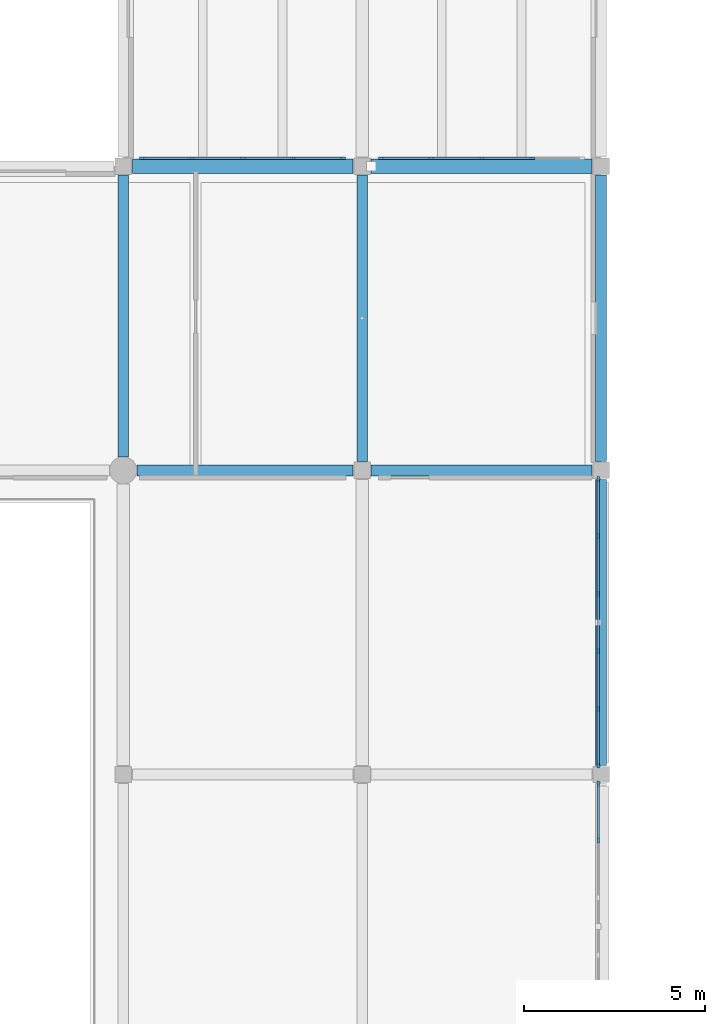
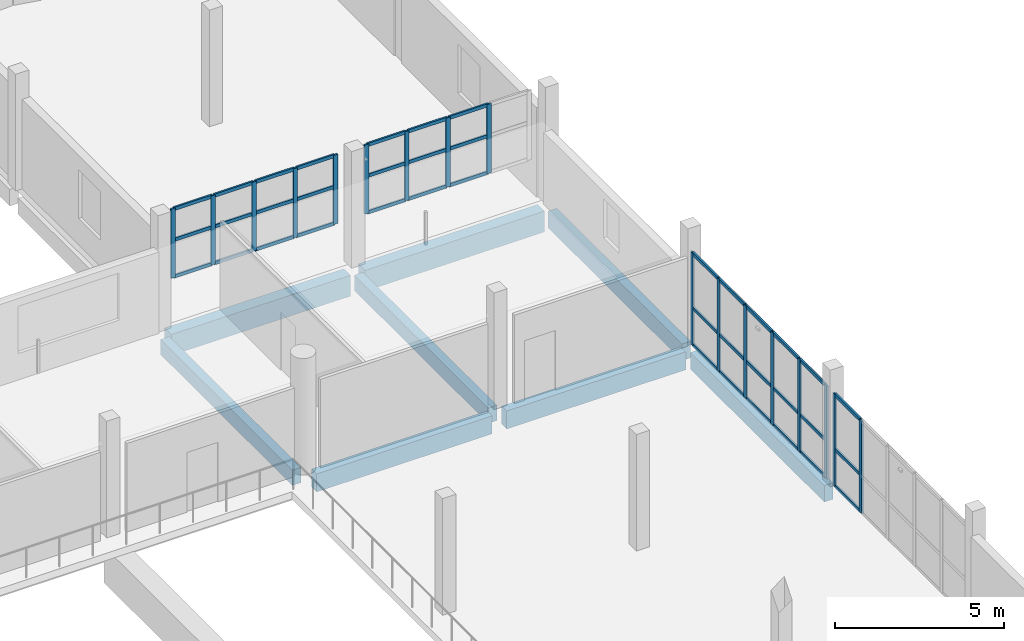
# One storey, part 9 of 74: 56 members, 8 beams, 4 elements without a shape of their own.
"""IFC4 building model written with IfcOpenShell, lengths in metres."""

from ifc_helpers import new_model, si_unit, direction, frame, origin, origin_2d, place, context, subcontext, project, spatial, rectangle, extrude, material, material_profile, profile_set, type_object, element, aggregate, save


model = new_model("IFC4")

# Units and contexts
model_context = context("Model", 3, precision=1e-05, world=origin(), true_north=direction((0.0, 1.0)))
body_context = subcontext(model_context, "Body", "Model", "MODEL_VIEW")
ifc_project = project(units=[si_unit("LENGTHUNIT", "METRE"), si_unit("AREAUNIT", "SQUARE_METRE"), si_unit("VOLUMEUNIT", "CUBIC_METRE"), si_unit("PLANEANGLEUNIT", "RADIAN"), si_unit("MASSUNIT", "GRAM", prefix="KILO")], contexts=[model_context])

# Site, building, storey
site_placement = place(None, origin())
site = spatial("IfcSite", under=ifc_project, at=site_placement, CompositionType="ELEMENT")
building_placement = place(site_placement, origin())
building = spatial("IfcBuilding", under=site, at=building_placement, Name="Qaldarim Faculty of Natural and Applied Sciences", CompositionType="ELEMENT")
storey_placement = place(building_placement, frame((0.0, 0.0, 14.39990234375)))
storey = spatial("IfcBuildingStorey", under=building, at=storey_placement, Name="L03", CompositionType="ELEMENT", Elevation=14.39990234375)

# Beams
ifc_material_1 = material(Name="Concrete C40/50", Category="concrete")
ifc_material_profile_1 = material_profile(ifc_material_1, rectangle(XDim=0.300048828125, YDim=0.550048828125, at=origin_2d()), Name="RC-B300x550")
ifc_profile_set_1 = profile_set([ifc_material_profile_1], Name="Concrete C40/50")
beam_type_1 = type_object("IfcBeamType", Name="FloorBeam-RC300x550", PredefinedType="BEAM", material=ifc_profile_set_1)
beam_1_placement = place(storey_placement, frame((33.0, 75.97509765625, -0.534912109375), z_axis=(0.0, 1.0, 0.0), x_axis=(-1.0, 0.0, 0.0)))
element("IfcBeam", 1, at=beam_1_placement, inside=storey, type_object=beam_type_1, Name="Beam RC-B300x550 L02 X06/Y10-Y11", PredefinedType="BEAM", context=body_context, shape_type="SweptSolid", body=[
    extrude(rectangle(XDim=0.300048828125, YDim=0.550048828125, at=origin_2d()), origin(), (0.0, 0.0, 1.0), 7.77490234375),
])
beam_2_placement = place(storey_placement, frame((39.60009765625, 75.85009765625, -0.534912109375), z_axis=(0.0, 1.0, 0.0), x_axis=(-1.0, 0.0, 0.0)))
element("IfcBeam", 2, at=beam_2_placement, inside=storey, type_object=beam_type_1, Name="Beam RC-B300x550 L02 X07/Y10-Y11", PredefinedType="BEAM", context=body_context, shape_type="SweptSolid", body=[
    extrude(rectangle(XDim=0.300048828125, YDim=0.550048828125, at=origin_2d()), origin(), (0.0, 0.0, 1.0), 7.89990234375),
])
ifc_material_2 = material(Name="Concrete C50/60", Category="concrete")
ifc_material_profile_2 = material_profile(ifc_material_2, rectangle(XDim=0.39990234375, YDim=0.75, at=origin_2d()), Name="RC-B400x750")
ifc_profile_set_2 = profile_set([ifc_material_profile_2], Name="Concrete C50/60")
beam_type_2 = type_object("IfcBeamType", Name="LabGirder-RC400x750", PredefinedType="BEAM", material=ifc_profile_set_2)
beam_3_placement = place(storey_placement, frame((33.25, 84.0, -0.635009765625), z_axis=(1.0, 0.0, 0.0), x_axis=(0.0, 1.0, 0.0)))
element("IfcBeam", 3, at=beam_3_placement, inside=storey, type_object=beam_type_2, Name="Beam RC-B400x750 L02 X06-X07/Y11", PredefinedType="BEAM", context=body_context, shape_type="SweptSolid", body=[
    extrude(rectangle(XDim=0.39990234375, YDim=0.75, at=origin_2d()), origin(), (0.0, 0.0, 1.0), 6.10009765625),
])
beam_4_placement = place(storey_placement, frame((39.85009765625, 84.0, -0.635009765625), z_axis=(1.0, 0.0, 0.0), x_axis=(0.0, 1.0, 0.0)))
element("IfcBeam", 4, at=beam_4_placement, inside=storey, type_object=beam_type_2, Name="Beam RC-B400x750 L02 X07-X08/Y11", PredefinedType="BEAM", context=body_context, shape_type="SweptSolid", body=[
    extrude(rectangle(XDim=0.39990234375, YDim=0.75, at=origin_2d()), origin(), (0.0, 0.0, 1.0), 6.099853515625),
])

# Curtain wall, members
ifc_material_3 = material(Name="Anodised aluminium AW-6063", Category="aluminium")
curtain_wall_type_1 = type_object("IfcCurtainWallType", Name="CurtainWallSystem-M1500", PredefinedType="USERDEFINED", material=ifc_material_3)
curtain_wall_1_placement = place(storey_placement, origin())
curtain_wall_1 = element("IfcCurtainWall", 5, at=curtain_wall_1_placement, inside=storey, type_object=curtain_wall_type_1, Name="Curtain wall CW-L03-E-X07Y08", ObjectType="STICK CURTAIN WALL", PredefinedType="USERDEFINED")
ifc_material_profile_3 = material_profile(ifc_material_3, rectangle(XDim=0.06005859375, YDim=0.14990234375, at=origin_2d()), Name="ALU-M60x150")
ifc_profile_set_3 = profile_set([ifc_material_profile_3], Name="Anodised aluminium AW-6063")
member_type_1 = type_object("IfcMemberType", Name="Mullion-ALU60x150", PredefinedType="MULLION", material=ifc_profile_set_3)
member_1_placement = place(storey_placement, frame((46.1201171875, 65.387939453125, 0.0), z_axis=(0.0, 0.0, 1.0), x_axis=(-1.0, 0.0, 0.0)))
member_1 = element("IfcMember", 6, at=member_1_placement, type_object=member_type_1, Name="Mullion 5 of CW-L03-E-X07Y08", PredefinedType="MULLION", context=body_context, shape_type="SweptSolid", body=[
    extrude(rectangle(XDim=0.06005859375, YDim=0.14990234375, at=origin_2d()), origin(), (0.0, 0.0, 1.0), 3.340087890625),
])
member_2_placement = place(storey_placement, frame((46.1201171875, 66.949951171875, 0.0), z_axis=(0.0, 0.0, 1.0), x_axis=(-1.0, 0.0, 0.0)))
member_2 = element("IfcMember", 7, at=member_2_placement, type_object=member_type_1, Name="Mullion 6 of CW-L03-E-X07Y08", PredefinedType="MULLION", context=body_context, shape_type="SweptSolid", body=[
    extrude(rectangle(XDim=0.06005859375, YDim=0.14990234375, at=origin_2d()), origin(), (0.0, 0.0, 1.0), 3.340087890625),
])

curtain_wall_2_placement = place(storey_placement, origin())
curtain_wall_2 = element("IfcCurtainWall", 8, at=curtain_wall_2_placement, inside=storey, type_object=curtain_wall_type_1, Name="Curtain wall CW-L03-E-X07Y09", ObjectType="STICK CURTAIN WALL", PredefinedType="USERDEFINED")
member_3_placement = place(storey_placement, frame((46.1201171875, 67.449951171875, 0.0), z_axis=(0.0, 0.0, 1.0), x_axis=(-1.0, 0.0, 0.0)))
member_3 = element("IfcMember", 9, at=member_3_placement, type_object=member_type_1, Name="Mullion 1 of CW-L03-E-X07Y09", PredefinedType="MULLION", context=body_context, shape_type="SweptSolid", body=[
    extrude(rectangle(XDim=0.06005859375, YDim=0.14990234375, at=origin_2d()), origin(), (0.0, 0.0, 1.0), 3.340087890625),
])
member_4_placement = place(storey_placement, frame((46.1201171875, 69.011962890625, 0.0), z_axis=(0.0, 0.0, 1.0), x_axis=(-1.0, 0.0, 0.0)))
member_4 = element("IfcMember", 10, at=member_4_placement, type_object=member_type_1, Name="Mullion 2 of CW-L03-E-X07Y09", PredefinedType="MULLION", context=body_context, shape_type="SweptSolid", body=[
    extrude(rectangle(XDim=0.06005859375, YDim=0.14990234375, at=origin_2d()), origin(), (0.0, 0.0, 1.0), 3.340087890625),
])
member_5_placement = place(storey_placement, frame((46.1201171875, 70.60400390625, 0.0), z_axis=(0.0, 0.0, 1.0), x_axis=(-1.0, 0.0, 0.0)))
member_5 = element("IfcMember", 11, at=member_5_placement, type_object=member_type_1, Name="Mullion 3 of CW-L03-E-X07Y09", PredefinedType="MULLION", context=body_context, shape_type="SweptSolid", body=[
    extrude(rectangle(XDim=0.06005859375, YDim=0.14990234375, at=origin_2d()), origin(), (0.0, 0.0, 1.0), 3.340087890625),
])
member_6_placement = place(storey_placement, frame((46.1201171875, 72.196044921875, 0.0), z_axis=(0.0, 0.0, 1.0), x_axis=(-1.0, 0.0, 0.0)))
member_6 = element("IfcMember", 12, at=member_6_placement, type_object=member_type_1, Name="Mullion 4 of CW-L03-E-X07Y09", PredefinedType="MULLION", context=body_context, shape_type="SweptSolid", body=[
    extrude(rectangle(XDim=0.06005859375, YDim=0.14990234375, at=origin_2d()), origin(), (0.0, 0.0, 1.0), 3.340087890625),
])
member_7_placement = place(storey_placement, frame((46.1201171875, 73.7880859375, 0.0), z_axis=(0.0, 0.0, 1.0), x_axis=(-1.0, 0.0, 0.0)))
member_7 = element("IfcMember", 13, at=member_7_placement, type_object=member_type_1, Name="Mullion 5 of CW-L03-E-X07Y09", PredefinedType="MULLION", context=body_context, shape_type="SweptSolid", body=[
    extrude(rectangle(XDim=0.06005859375, YDim=0.14990234375, at=origin_2d()), origin(), (0.0, 0.0, 1.0), 3.340087890625),
])
member_8_placement = place(storey_placement, frame((46.1201171875, 75.35009765625, 0.0), z_axis=(0.0, 0.0, 1.0), x_axis=(-1.0, 0.0, 0.0)))
member_8 = element("IfcMember", 14, at=member_8_placement, type_object=member_type_1, Name="Mullion 6 of CW-L03-E-X07Y09", PredefinedType="MULLION", context=body_context, shape_type="SweptSolid", body=[
    extrude(rectangle(XDim=0.06005859375, YDim=0.14990234375, at=origin_2d()), origin(), (0.0, 0.0, 1.0), 3.340087890625),
])

curtain_wall_type_2 = type_object("IfcCurtainWallType", Name="CurtainWallSystem-M1400", PredefinedType="USERDEFINED", material=ifc_material_3)
curtain_wall_3_placement = place(storey_placement, origin())
curtain_wall_3 = element("IfcCurtainWall", 15, at=curtain_wall_3_placement, inside=storey, type_object=curtain_wall_type_2, Name="Curtain wall CW-V4RIB-L03-X06", ObjectType="STICK CURTAIN WALL", PredefinedType="USERDEFINED")
member_9_placement = place(storey_placement, frame((33.530029296875, 84.219970703125, 1.4501953125), z_axis=(0.0, 0.0, 1.0), x_axis=(0.0, 1.0, 0.0)))
member_9 = element("IfcMember", 16, at=member_9_placement, type_object=member_type_1, Name="Mullion 1 of CW-V4RIB-L03-X06", PredefinedType="MULLION", context=body_context, shape_type="SweptSolid", body=[
    extrude(rectangle(XDim=0.06005859375, YDim=0.14990234375, at=origin_2d()), origin(), (0.0, 0.0, 1.0), 2.489990234375),
])
member_10_placement = place(storey_placement, frame((34.89990234375, 84.219970703125, 1.4501953125), z_axis=(0.0, 0.0, 1.0), x_axis=(0.0, 1.0, 0.0)))
member_10 = element("IfcMember", 17, at=member_10_placement, type_object=member_type_1, Name="Mullion 2 of CW-V4RIB-L03-X06", PredefinedType="MULLION", context=body_context, shape_type="SweptSolid", body=[
    extrude(rectangle(XDim=0.06005859375, YDim=0.14990234375, at=origin_2d()), origin(), (0.0, 0.0, 1.0), 2.489990234375),
])
member_11_placement = place(storey_placement, frame((36.300048828125, 84.219970703125, 1.4501953125), z_axis=(0.0, 0.0, 1.0), x_axis=(0.0, 1.0, 0.0)))
member_11 = element("IfcMember", 18, at=member_11_placement, type_object=member_type_1, Name="Mullion 3 of CW-V4RIB-L03-X06", PredefinedType="MULLION", context=body_context, shape_type="SweptSolid", body=[
    extrude(rectangle(XDim=0.06005859375, YDim=0.14990234375, at=origin_2d()), origin(), (0.0, 0.0, 1.0), 2.489990234375),
])
member_12_placement = place(storey_placement, frame((37.699951171875, 84.219970703125, 1.4501953125), z_axis=(0.0, 0.0, 1.0), x_axis=(0.0, 1.0, 0.0)))
member_12 = element("IfcMember", 19, at=member_12_placement, type_object=member_type_1, Name="Mullion 4 of CW-V4RIB-L03-X06", PredefinedType="MULLION", context=body_context, shape_type="SweptSolid", body=[
    extrude(rectangle(XDim=0.06005859375, YDim=0.14990234375, at=origin_2d()), origin(), (0.0, 0.0, 1.0), 2.489990234375),
])
member_13_placement = place(storey_placement, frame((39.070068359375, 84.219970703125, 1.4501953125), z_axis=(0.0, 0.0, 1.0), x_axis=(0.0, 1.0, 0.0)))
member_13 = element("IfcMember", 20, at=member_13_placement, type_object=member_type_1, Name="Mullion 5 of CW-V4RIB-L03-X06", PredefinedType="MULLION", context=body_context, shape_type="SweptSolid", body=[
    extrude(rectangle(XDim=0.06005859375, YDim=0.14990234375, at=origin_2d()), origin(), (0.0, 0.0, 1.0), 2.489990234375),
])

curtain_wall_4_placement = place(storey_placement, origin())
curtain_wall_4 = element("IfcCurtainWall", 21, at=curtain_wall_4_placement, inside=storey, type_object=curtain_wall_type_2, Name="Curtain wall CW-V4RIB-L03-X07", ObjectType="STICK CURTAIN WALL", PredefinedType="USERDEFINED")
member_14_placement = place(storey_placement, frame((40.1298828125, 84.219970703125, 1.4501953125), z_axis=(0.0, 0.0, 1.0), x_axis=(0.0, 1.0, 0.0)))
member_14 = element("IfcMember", 22, at=member_14_placement, type_object=member_type_1, Name="Mullion 1 of CW-V4RIB-L03-X07", PredefinedType="MULLION", context=body_context, shape_type="SweptSolid", body=[
    extrude(rectangle(XDim=0.06005859375, YDim=0.14990234375, at=origin_2d()), origin(), (0.0, 0.0, 1.0), 2.489990234375),
])
member_15_placement = place(storey_placement, frame((41.5, 84.219970703125, 1.4501953125), z_axis=(0.0, 0.0, 1.0), x_axis=(0.0, 1.0, 0.0)))
member_15 = element("IfcMember", 23, at=member_15_placement, type_object=member_type_1, Name="Mullion 2 of CW-V4RIB-L03-X07", PredefinedType="MULLION", context=body_context, shape_type="SweptSolid", body=[
    extrude(rectangle(XDim=0.06005859375, YDim=0.14990234375, at=origin_2d()), origin(), (0.0, 0.0, 1.0), 2.489990234375),
])
member_16_placement = place(storey_placement, frame((42.89990234375, 84.219970703125, 1.4501953125), z_axis=(0.0, 0.0, 1.0), x_axis=(0.0, 1.0, 0.0)))
member_16 = element("IfcMember", 24, at=member_16_placement, type_object=member_type_1, Name="Mullion 3 of CW-V4RIB-L03-X07", PredefinedType="MULLION", context=body_context, shape_type="SweptSolid", body=[
    extrude(rectangle(XDim=0.06005859375, YDim=0.14990234375, at=origin_2d()), origin(), (0.0, 0.0, 1.0), 2.489990234375),
])
member_17_placement = place(storey_placement, frame((44.300048828125, 84.219970703125, 1.4501953125), z_axis=(0.0, 0.0, 1.0), x_axis=(0.0, 1.0, 0.0)))
member_17 = element("IfcMember", 25, at=member_17_placement, type_object=member_type_1, Name="Mullion 4 of CW-V4RIB-L03-X07", PredefinedType="MULLION", context=body_context, shape_type="SweptSolid", body=[
    extrude(rectangle(XDim=0.06005859375, YDim=0.14990234375, at=origin_2d()), origin(), (0.0, 0.0, 1.0), 2.489990234375),
])

# Beams
ifc_material_profile_4 = material_profile(ifc_material_1, rectangle(XDim=0.300048828125, YDim=0.64990234375, at=origin_2d()), Name="RC-B300x650")
ifc_profile_set_4 = profile_set([ifc_material_profile_4], Name="Concrete C40/50")
beam_type_3 = type_object("IfcBeamType", Name="PrimaryBeam-RC300x650", PredefinedType="BEAM", material=ifc_profile_set_4)
beam_5_placement = place(storey_placement, frame((33.375, 75.60009765625, -0.5849609375), z_axis=(1.0, 0.0, 0.0), x_axis=(0.0, 1.0, 0.0)))
element("IfcBeam", 26, at=beam_5_placement, inside=storey, type_object=beam_type_3, Name="Beam RC-B300x650 L02 X06-X07/Y10", PredefinedType="BEAM", context=body_context, shape_type="SweptSolid", body=[
    extrude(rectangle(XDim=0.300048828125, YDim=0.64990234375, at=origin_2d()), origin(), (0.0, 0.0, 1.0), 5.97509765625),
])
beam_6_placement = place(storey_placement, frame((39.85009765625, 75.60009765625, -0.5849609375), z_axis=(1.0, 0.0, 0.0), x_axis=(0.0, 1.0, 0.0)))
element("IfcBeam", 27, at=beam_6_placement, inside=storey, type_object=beam_type_3, Name="Beam RC-B300x650 L02 X07-X08/Y10", PredefinedType="BEAM", context=body_context, shape_type="SweptSolid", body=[
    extrude(rectangle(XDim=0.300048828125, YDim=0.64990234375, at=origin_2d()), origin(), (0.0, 0.0, 1.0), 6.099853515625),
])
ifc_material_4 = material(Name="Precast concrete C40/50", Category="concrete")
ifc_material_profile_5 = material_profile(ifc_material_4, rectangle(XDim=0.300048828125, YDim=0.60009765625, at=origin_2d()), Name="RC-SP300x600")
ifc_profile_set_5 = profile_set([ifc_material_profile_5], Name="Precast concrete C40/50")
beam_type_4 = type_object("IfcBeamType", Name="SpandrelBeam-RC300x600", PredefinedType="SPANDREL", material=ifc_profile_set_5)
beam_7_placement = place(storey_placement, frame((46.199951171875, 67.449951171875, -0.559814453125), z_axis=(0.0, 1.0, 0.0), x_axis=(-1.0, 0.0, 0.0)))
element("IfcBeam", 28, at=beam_7_placement, inside=storey, type_object=beam_type_4, Name="Beam RC-SP300x600 L02 X08/Y09-Y10", PredefinedType="SPANDREL", context=body_context, shape_type="SweptSolid", body=[
    extrude(rectangle(XDim=0.300048828125, YDim=0.60009765625, at=origin_2d()), origin(), (0.0, 0.0, 1.0), 7.900146484375),
])
beam_8_placement = place(storey_placement, frame((46.199951171875, 75.85009765625, -0.559814453125), z_axis=(0.0, 1.0, 0.0), x_axis=(-1.0, 0.0, 0.0)))
element("IfcBeam", 29, at=beam_8_placement, inside=storey, type_object=beam_type_4, Name="Beam RC-SP300x600 L02 X08/Y10-Y11", PredefinedType="SPANDREL", context=body_context, shape_type="SweptSolid", body=[
    extrude(rectangle(XDim=0.300048828125, YDim=0.60009765625, at=origin_2d()), origin(), (0.0, 0.0, 1.0), 7.89990234375),
])

# Member
ifc_material_profile_6 = material_profile(ifc_material_3, rectangle(XDim=0.06005859375, YDim=0.1201171875, at=origin_2d()), Name="ALU-T60x120")
ifc_profile_set_6 = profile_set([ifc_material_profile_6], Name="Anodised aluminium AW-6063")
member_type_2 = type_object("IfcMemberType", Name="Transom-ALU60x120", PredefinedType="USERDEFINED", material=ifc_profile_set_6)
member_18_placement = place(storey_placement, frame((46.1201171875, 65.41796875, 0.030029296875), z_axis=(0.0, 1.0, 0.0), x_axis=(-1.0, 0.0, 0.0)))
member_18 = element("IfcMember", 30, at=member_18_placement, type_object=member_type_2, Name="Transom 5-1 of CW-L03-E-X07Y08", ObjectType="TRANSOM", PredefinedType="USERDEFINED", context=body_context, shape_type="SweptSolid", body=[
    extrude(rectangle(XDim=0.06005859375, YDim=0.1201171875, at=origin_2d()), origin(), (0.0, 0.0, 1.0), 1.501953125),
])

member_19_placement = place(storey_placement, frame((46.1201171875, 65.41796875, 1.35009765625), z_axis=(0.0, 1.0, 0.0), x_axis=(-1.0, 0.0, 0.0)))
member_19 = element("IfcMember", 31, at=member_19_placement, type_object=member_type_2, Name="Transom 5-2 of CW-L03-E-X07Y08", ObjectType="TRANSOM", PredefinedType="USERDEFINED", context=body_context, shape_type="SweptSolid", body=[
    extrude(rectangle(XDim=0.06005859375, YDim=0.1201171875, at=origin_2d()), origin(), (0.0, 0.0, 1.0), 1.501953125),
])

member_20_placement = place(storey_placement, frame((46.1201171875, 65.41796875, 3.31005859375), z_axis=(0.0, 1.0, 0.0), x_axis=(-1.0, 0.0, 0.0)))
member_20 = element("IfcMember", 32, at=member_20_placement, type_object=member_type_2, Name="Transom 5-3 of CW-L03-E-X07Y08", ObjectType="TRANSOM", PredefinedType="USERDEFINED", context=body_context, shape_type="SweptSolid", body=[
    extrude(rectangle(XDim=0.06005859375, YDim=0.1201171875, at=origin_2d()), origin(), (0.0, 0.0, 1.0), 1.501953125),
])

aggregate(curtain_wall_1, [member_1, member_2, member_18, member_19, member_20])

member_21_placement = place(storey_placement, frame((46.1201171875, 67.47998046875, 0.030029296875), z_axis=(0.0, 1.0, 0.0), x_axis=(-1.0, 0.0, 0.0)))
member_21 = element("IfcMember", 33, at=member_21_placement, type_object=member_type_2, Name="Transom 1-1 of CW-L03-E-X07Y09", ObjectType="TRANSOM", PredefinedType="USERDEFINED", context=body_context, shape_type="SweptSolid", body=[
    extrude(rectangle(XDim=0.06005859375, YDim=0.1201171875, at=origin_2d()), origin(), (0.0, 0.0, 1.0), 1.501953125),
])

member_22_placement = place(storey_placement, frame((46.1201171875, 67.47998046875, 1.35009765625), z_axis=(0.0, 1.0, 0.0), x_axis=(-1.0, 0.0, 0.0)))
member_22 = element("IfcMember", 34, at=member_22_placement, type_object=member_type_2, Name="Transom 1-2 of CW-L03-E-X07Y09", ObjectType="TRANSOM", PredefinedType="USERDEFINED", context=body_context, shape_type="SweptSolid", body=[
    extrude(rectangle(XDim=0.06005859375, YDim=0.1201171875, at=origin_2d()), origin(), (0.0, 0.0, 1.0), 1.501953125),
])

member_23_placement = place(storey_placement, frame((46.1201171875, 67.47998046875, 3.31005859375), z_axis=(0.0, 1.0, 0.0), x_axis=(-1.0, 0.0, 0.0)))
member_23 = element("IfcMember", 35, at=member_23_placement, type_object=member_type_2, Name="Transom 1-3 of CW-L03-E-X07Y09", ObjectType="TRANSOM", PredefinedType="USERDEFINED", context=body_context, shape_type="SweptSolid", body=[
    extrude(rectangle(XDim=0.06005859375, YDim=0.1201171875, at=origin_2d()), origin(), (0.0, 0.0, 1.0), 1.501953125),
])

member_24_placement = place(storey_placement, frame((46.1201171875, 69.0419921875, 0.030029296875), z_axis=(0.0, 1.0, 0.0), x_axis=(-1.0, 0.0, 0.0)))
member_24 = element("IfcMember", 36, at=member_24_placement, type_object=member_type_2, Name="Transom 2-1 of CW-L03-E-X07Y09", ObjectType="TRANSOM", PredefinedType="USERDEFINED", context=body_context, shape_type="SweptSolid", body=[
    extrude(rectangle(XDim=0.06005859375, YDim=0.1201171875, at=origin_2d()), origin(), (0.0, 0.0, 1.0), 1.531982421875),
])

member_25_placement = place(storey_placement, frame((46.1201171875, 69.0419921875, 1.35009765625), z_axis=(0.0, 1.0, 0.0), x_axis=(-1.0, 0.0, 0.0)))
member_25 = element("IfcMember", 37, at=member_25_placement, type_object=member_type_2, Name="Transom 2-2 of CW-L03-E-X07Y09", ObjectType="TRANSOM", PredefinedType="USERDEFINED", context=body_context, shape_type="SweptSolid", body=[
    extrude(rectangle(XDim=0.06005859375, YDim=0.1201171875, at=origin_2d()), origin(), (0.0, 0.0, 1.0), 1.531982421875),
])

member_26_placement = place(storey_placement, frame((46.1201171875, 69.0419921875, 3.31005859375), z_axis=(0.0, 1.0, 0.0), x_axis=(-1.0, 0.0, 0.0)))
member_26 = element("IfcMember", 38, at=member_26_placement, type_object=member_type_2, Name="Transom 2-3 of CW-L03-E-X07Y09", ObjectType="TRANSOM", PredefinedType="USERDEFINED", context=body_context, shape_type="SweptSolid", body=[
    extrude(rectangle(XDim=0.06005859375, YDim=0.1201171875, at=origin_2d()), origin(), (0.0, 0.0, 1.0), 1.531982421875),
])

member_27_placement = place(storey_placement, frame((46.1201171875, 70.634033203125, 0.030029296875), z_axis=(0.0, 1.0, 0.0), x_axis=(-1.0, 0.0, 0.0)))
member_27 = element("IfcMember", 39, at=member_27_placement, type_object=member_type_2, Name="Transom 3-1 of CW-L03-E-X07Y09", ObjectType="TRANSOM", PredefinedType="USERDEFINED", context=body_context, shape_type="SweptSolid", body=[
    extrude(rectangle(XDim=0.06005859375, YDim=0.1201171875, at=origin_2d()), origin(), (0.0, 0.0, 1.0), 1.531982421875),
])

member_28_placement = place(storey_placement, frame((46.1201171875, 70.634033203125, 1.35009765625), z_axis=(0.0, 1.0, 0.0), x_axis=(-1.0, 0.0, 0.0)))
member_28 = element("IfcMember", 40, at=member_28_placement, type_object=member_type_2, Name="Transom 3-2 of CW-L03-E-X07Y09", ObjectType="TRANSOM", PredefinedType="USERDEFINED", context=body_context, shape_type="SweptSolid", body=[
    extrude(rectangle(XDim=0.06005859375, YDim=0.1201171875, at=origin_2d()), origin(), (0.0, 0.0, 1.0), 1.531982421875),
])

member_29_placement = place(storey_placement, frame((46.1201171875, 70.634033203125, 3.31005859375), z_axis=(0.0, 1.0, 0.0), x_axis=(-1.0, 0.0, 0.0)))
member_29 = element("IfcMember", 41, at=member_29_placement, type_object=member_type_2, Name="Transom 3-3 of CW-L03-E-X07Y09", ObjectType="TRANSOM", PredefinedType="USERDEFINED", context=body_context, shape_type="SweptSolid", body=[
    extrude(rectangle(XDim=0.06005859375, YDim=0.1201171875, at=origin_2d()), origin(), (0.0, 0.0, 1.0), 1.531982421875),
])

member_30_placement = place(storey_placement, frame((46.1201171875, 72.22607421875, 0.030029296875), z_axis=(0.0, 1.0, 0.0), x_axis=(-1.0, 0.0, 0.0)))
member_30 = element("IfcMember", 42, at=member_30_placement, type_object=member_type_2, Name="Transom 4-1 of CW-L03-E-X07Y09", ObjectType="TRANSOM", PredefinedType="USERDEFINED", context=body_context, shape_type="SweptSolid", body=[
    extrude(rectangle(XDim=0.06005859375, YDim=0.1201171875, at=origin_2d()), origin(), (0.0, 0.0, 1.0), 1.531982421875),
])

member_31_placement = place(storey_placement, frame((46.1201171875, 72.22607421875, 1.35009765625), z_axis=(0.0, 1.0, 0.0), x_axis=(-1.0, 0.0, 0.0)))
member_31 = element("IfcMember", 43, at=member_31_placement, type_object=member_type_2, Name="Transom 4-2 of CW-L03-E-X07Y09", ObjectType="TRANSOM", PredefinedType="USERDEFINED", context=body_context, shape_type="SweptSolid", body=[
    extrude(rectangle(XDim=0.06005859375, YDim=0.1201171875, at=origin_2d()), origin(), (0.0, 0.0, 1.0), 1.531982421875),
])

member_32_placement = place(storey_placement, frame((46.1201171875, 72.22607421875, 3.31005859375), z_axis=(0.0, 1.0, 0.0), x_axis=(-1.0, 0.0, 0.0)))
member_32 = element("IfcMember", 44, at=member_32_placement, type_object=member_type_2, Name="Transom 4-3 of CW-L03-E-X07Y09", ObjectType="TRANSOM", PredefinedType="USERDEFINED", context=body_context, shape_type="SweptSolid", body=[
    extrude(rectangle(XDim=0.06005859375, YDim=0.1201171875, at=origin_2d()), origin(), (0.0, 0.0, 1.0), 1.531982421875),
])

member_33_placement = place(storey_placement, frame((46.1201171875, 73.818115234375, 0.030029296875), z_axis=(0.0, 1.0, 0.0), x_axis=(-1.0, 0.0, 0.0)))
member_33 = element("IfcMember", 45, at=member_33_placement, type_object=member_type_2, Name="Transom 5-1 of CW-L03-E-X07Y09", ObjectType="TRANSOM", PredefinedType="USERDEFINED", context=body_context, shape_type="SweptSolid", body=[
    extrude(rectangle(XDim=0.06005859375, YDim=0.1201171875, at=origin_2d()), origin(), (0.0, 0.0, 1.0), 1.501953125),
])

member_34_placement = place(storey_placement, frame((46.1201171875, 73.818115234375, 1.35009765625), z_axis=(0.0, 1.0, 0.0), x_axis=(-1.0, 0.0, 0.0)))
member_34 = element("IfcMember", 46, at=member_34_placement, type_object=member_type_2, Name="Transom 5-2 of CW-L03-E-X07Y09", ObjectType="TRANSOM", PredefinedType="USERDEFINED", context=body_context, shape_type="SweptSolid", body=[
    extrude(rectangle(XDim=0.06005859375, YDim=0.1201171875, at=origin_2d()), origin(), (0.0, 0.0, 1.0), 1.501953125),
])

member_35_placement = place(storey_placement, frame((46.1201171875, 73.818115234375, 3.31005859375), z_axis=(0.0, 1.0, 0.0), x_axis=(-1.0, 0.0, 0.0)))
member_35 = element("IfcMember", 47, at=member_35_placement, type_object=member_type_2, Name="Transom 5-3 of CW-L03-E-X07Y09", ObjectType="TRANSOM", PredefinedType="USERDEFINED", context=body_context, shape_type="SweptSolid", body=[
    extrude(rectangle(XDim=0.06005859375, YDim=0.1201171875, at=origin_2d()), origin(), (0.0, 0.0, 1.0), 1.501953125),
])

aggregate(curtain_wall_2, [member_3, member_4, member_5, member_6, member_7, member_8, member_21, member_22, member_23, member_24, member_25, member_26, member_27, member_28, member_29, member_30, member_31, member_32, member_33, member_34, member_35])

member_36_placement = place(storey_placement, frame((33.56005859375, 84.219970703125, 1.47998046875), z_axis=(1.0, 0.0, 0.0), x_axis=(0.0, 1.0, 0.0)))
member_36 = element("IfcMember", 48, at=member_36_placement, type_object=member_type_2, Name="Transom 1-1 of CW-V4RIB-L03-X06", ObjectType="TRANSOM", PredefinedType="USERDEFINED", context=body_context, shape_type="SweptSolid", body=[
    extrude(rectangle(XDim=0.06005859375, YDim=0.1201171875, at=origin_2d()), origin(), (0.0, 0.0, 1.0), 1.31005859375),
])

member_37_placement = place(storey_placement, frame((33.56005859375, 84.219970703125, 2.800048828125), z_axis=(1.0, 0.0, 0.0), x_axis=(0.0, 1.0, 0.0)))
member_37 = element("IfcMember", 49, at=member_37_placement, type_object=member_type_2, Name="Transom 1-2 of CW-V4RIB-L03-X06", ObjectType="TRANSOM", PredefinedType="USERDEFINED", context=body_context, shape_type="SweptSolid", body=[
    extrude(rectangle(XDim=0.06005859375, YDim=0.1201171875, at=origin_2d()), origin(), (0.0, 0.0, 1.0), 1.31005859375),
])

member_38_placement = place(storey_placement, frame((33.56005859375, 84.219970703125, 3.91015625), z_axis=(1.0, 0.0, 0.0), x_axis=(0.0, 1.0, 0.0)))
member_38 = element("IfcMember", 50, at=member_38_placement, type_object=member_type_2, Name="Transom 1-3 of CW-V4RIB-L03-X06", ObjectType="TRANSOM", PredefinedType="USERDEFINED", context=body_context, shape_type="SweptSolid", body=[
    extrude(rectangle(XDim=0.06005859375, YDim=0.1201171875, at=origin_2d()), origin(), (0.0, 0.0, 1.0), 1.31005859375),
])

member_39_placement = place(storey_placement, frame((34.929931640625, 84.219970703125, 1.47998046875), z_axis=(1.0, 0.0, 0.0), x_axis=(0.0, 1.0, 0.0)))
member_39 = element("IfcMember", 51, at=member_39_placement, type_object=member_type_2, Name="Transom 2-1 of CW-V4RIB-L03-X06", ObjectType="TRANSOM", PredefinedType="USERDEFINED", context=body_context, shape_type="SweptSolid", body=[
    extrude(rectangle(XDim=0.06005859375, YDim=0.1201171875, at=origin_2d()), origin(), (0.0, 0.0, 1.0), 1.340087890625),
])

member_40_placement = place(storey_placement, frame((34.929931640625, 84.219970703125, 2.800048828125), z_axis=(1.0, 0.0, 0.0), x_axis=(0.0, 1.0, 0.0)))
member_40 = element("IfcMember", 52, at=member_40_placement, type_object=member_type_2, Name="Transom 2-2 of CW-V4RIB-L03-X06", ObjectType="TRANSOM", PredefinedType="USERDEFINED", context=body_context, shape_type="SweptSolid", body=[
    extrude(rectangle(XDim=0.06005859375, YDim=0.1201171875, at=origin_2d()), origin(), (0.0, 0.0, 1.0), 1.340087890625),
])

member_41_placement = place(storey_placement, frame((34.929931640625, 84.219970703125, 3.91015625), z_axis=(1.0, 0.0, 0.0), x_axis=(0.0, 1.0, 0.0)))
member_41 = element("IfcMember", 53, at=member_41_placement, type_object=member_type_2, Name="Transom 2-3 of CW-V4RIB-L03-X06", ObjectType="TRANSOM", PredefinedType="USERDEFINED", context=body_context, shape_type="SweptSolid", body=[
    extrude(rectangle(XDim=0.06005859375, YDim=0.1201171875, at=origin_2d()), origin(), (0.0, 0.0, 1.0), 1.340087890625),
])

member_42_placement = place(storey_placement, frame((36.330078125, 84.219970703125, 1.47998046875), z_axis=(1.0, 0.0, 0.0), x_axis=(0.0, 1.0, 0.0)))
member_42 = element("IfcMember", 54, at=member_42_placement, type_object=member_type_2, Name="Transom 3-1 of CW-V4RIB-L03-X06", ObjectType="TRANSOM", PredefinedType="USERDEFINED", context=body_context, shape_type="SweptSolid", body=[
    extrude(rectangle(XDim=0.06005859375, YDim=0.1201171875, at=origin_2d()), origin(), (0.0, 0.0, 1.0), 1.33984375),
])

member_43_placement = place(storey_placement, frame((36.330078125, 84.219970703125, 2.800048828125), z_axis=(1.0, 0.0, 0.0), x_axis=(0.0, 1.0, 0.0)))
member_43 = element("IfcMember", 55, at=member_43_placement, type_object=member_type_2, Name="Transom 3-2 of CW-V4RIB-L03-X06", ObjectType="TRANSOM", PredefinedType="USERDEFINED", context=body_context, shape_type="SweptSolid", body=[
    extrude(rectangle(XDim=0.06005859375, YDim=0.1201171875, at=origin_2d()), origin(), (0.0, 0.0, 1.0), 1.33984375),
])

member_44_placement = place(storey_placement, frame((36.330078125, 84.219970703125, 3.91015625), z_axis=(1.0, 0.0, 0.0), x_axis=(0.0, 1.0, 0.0)))
member_44 = element("IfcMember", 56, at=member_44_placement, type_object=member_type_2, Name="Transom 3-3 of CW-V4RIB-L03-X06", ObjectType="TRANSOM", PredefinedType="USERDEFINED", context=body_context, shape_type="SweptSolid", body=[
    extrude(rectangle(XDim=0.06005859375, YDim=0.1201171875, at=origin_2d()), origin(), (0.0, 0.0, 1.0), 1.33984375),
])

member_45_placement = place(storey_placement, frame((37.72998046875, 84.219970703125, 1.47998046875), z_axis=(1.0, 0.0, 0.0), x_axis=(0.0, 1.0, 0.0)))
member_45 = element("IfcMember", 57, at=member_45_placement, type_object=member_type_2, Name="Transom 4-1 of CW-V4RIB-L03-X06", ObjectType="TRANSOM", PredefinedType="USERDEFINED", context=body_context, shape_type="SweptSolid", body=[
    extrude(rectangle(XDim=0.06005859375, YDim=0.1201171875, at=origin_2d()), origin(), (0.0, 0.0, 1.0), 1.31005859375),
])

member_46_placement = place(storey_placement, frame((37.72998046875, 84.219970703125, 2.800048828125), z_axis=(1.0, 0.0, 0.0), x_axis=(0.0, 1.0, 0.0)))
member_46 = element("IfcMember", 58, at=member_46_placement, type_object=member_type_2, Name="Transom 4-2 of CW-V4RIB-L03-X06", ObjectType="TRANSOM", PredefinedType="USERDEFINED", context=body_context, shape_type="SweptSolid", body=[
    extrude(rectangle(XDim=0.06005859375, YDim=0.1201171875, at=origin_2d()), origin(), (0.0, 0.0, 1.0), 1.31005859375),
])

member_47_placement = place(storey_placement, frame((37.72998046875, 84.219970703125, 3.91015625), z_axis=(1.0, 0.0, 0.0), x_axis=(0.0, 1.0, 0.0)))
member_47 = element("IfcMember", 59, at=member_47_placement, type_object=member_type_2, Name="Transom 4-3 of CW-V4RIB-L03-X06", ObjectType="TRANSOM", PredefinedType="USERDEFINED", context=body_context, shape_type="SweptSolid", body=[
    extrude(rectangle(XDim=0.06005859375, YDim=0.1201171875, at=origin_2d()), origin(), (0.0, 0.0, 1.0), 1.31005859375),
])

aggregate(curtain_wall_3, [member_9, member_10, member_11, member_12, member_13, member_36, member_37, member_38, member_39, member_40, member_41, member_42, member_43, member_44, member_45, member_46, member_47])

member_48_placement = place(storey_placement, frame((40.159912109375, 84.219970703125, 1.47998046875), z_axis=(1.0, 0.0, 0.0), x_axis=(0.0, 1.0, 0.0)))
member_48 = element("IfcMember", 60, at=member_48_placement, type_object=member_type_2, Name="Transom 1-1 of CW-V4RIB-L03-X07", ObjectType="TRANSOM", PredefinedType="USERDEFINED", context=body_context, shape_type="SweptSolid", body=[
    extrude(rectangle(XDim=0.06005859375, YDim=0.1201171875, at=origin_2d()), origin(), (0.0, 0.0, 1.0), 1.31005859375),
])

member_49_placement = place(storey_placement, frame((40.159912109375, 84.219970703125, 2.800048828125), z_axis=(1.0, 0.0, 0.0), x_axis=(0.0, 1.0, 0.0)))
member_49 = element("IfcMember", 61, at=member_49_placement, type_object=member_type_2, Name="Transom 1-2 of CW-V4RIB-L03-X07", ObjectType="TRANSOM", PredefinedType="USERDEFINED", context=body_context, shape_type="SweptSolid", body=[
    extrude(rectangle(XDim=0.06005859375, YDim=0.1201171875, at=origin_2d()), origin(), (0.0, 0.0, 1.0), 1.31005859375),
])

member_50_placement = place(storey_placement, frame((40.159912109375, 84.219970703125, 3.91015625), z_axis=(1.0, 0.0, 0.0), x_axis=(0.0, 1.0, 0.0)))
member_50 = element("IfcMember", 62, at=member_50_placement, type_object=member_type_2, Name="Transom 1-3 of CW-V4RIB-L03-X07", ObjectType="TRANSOM", PredefinedType="USERDEFINED", context=body_context, shape_type="SweptSolid", body=[
    extrude(rectangle(XDim=0.06005859375, YDim=0.1201171875, at=origin_2d()), origin(), (0.0, 0.0, 1.0), 1.31005859375),
])

member_51_placement = place(storey_placement, frame((41.530029296875, 84.219970703125, 1.47998046875), z_axis=(1.0, 0.0, 0.0), x_axis=(0.0, 1.0, 0.0)))
member_51 = element("IfcMember", 63, at=member_51_placement, type_object=member_type_2, Name="Transom 2-1 of CW-V4RIB-L03-X07", ObjectType="TRANSOM", PredefinedType="USERDEFINED", context=body_context, shape_type="SweptSolid", body=[
    extrude(rectangle(XDim=0.06005859375, YDim=0.1201171875, at=origin_2d()), origin(), (0.0, 0.0, 1.0), 1.340087890625),
])

member_52_placement = place(storey_placement, frame((41.530029296875, 84.219970703125, 2.800048828125), z_axis=(1.0, 0.0, 0.0), x_axis=(0.0, 1.0, 0.0)))
member_52 = element("IfcMember", 64, at=member_52_placement, type_object=member_type_2, Name="Transom 2-2 of CW-V4RIB-L03-X07", ObjectType="TRANSOM", PredefinedType="USERDEFINED", context=body_context, shape_type="SweptSolid", body=[
    extrude(rectangle(XDim=0.06005859375, YDim=0.1201171875, at=origin_2d()), origin(), (0.0, 0.0, 1.0), 1.340087890625),
])

member_53_placement = place(storey_placement, frame((41.530029296875, 84.219970703125, 3.91015625), z_axis=(1.0, 0.0, 0.0), x_axis=(0.0, 1.0, 0.0)))
member_53 = element("IfcMember", 65, at=member_53_placement, type_object=member_type_2, Name="Transom 2-3 of CW-V4RIB-L03-X07", ObjectType="TRANSOM", PredefinedType="USERDEFINED", context=body_context, shape_type="SweptSolid", body=[
    extrude(rectangle(XDim=0.06005859375, YDim=0.1201171875, at=origin_2d()), origin(), (0.0, 0.0, 1.0), 1.340087890625),
])

member_54_placement = place(storey_placement, frame((42.929931640625, 84.219970703125, 1.47998046875), z_axis=(1.0, 0.0, 0.0), x_axis=(0.0, 1.0, 0.0)))
member_54 = element("IfcMember", 66, at=member_54_placement, type_object=member_type_2, Name="Transom 3-1 of CW-V4RIB-L03-X07", ObjectType="TRANSOM", PredefinedType="USERDEFINED", context=body_context, shape_type="SweptSolid", body=[
    extrude(rectangle(XDim=0.06005859375, YDim=0.1201171875, at=origin_2d()), origin(), (0.0, 0.0, 1.0), 1.340087890625),
])

member_55_placement = place(storey_placement, frame((42.929931640625, 84.219970703125, 2.800048828125), z_axis=(1.0, 0.0, 0.0), x_axis=(0.0, 1.0, 0.0)))
member_55 = element("IfcMember", 67, at=member_55_placement, type_object=member_type_2, Name="Transom 3-2 of CW-V4RIB-L03-X07", ObjectType="TRANSOM", PredefinedType="USERDEFINED", context=body_context, shape_type="SweptSolid", body=[
    extrude(rectangle(XDim=0.06005859375, YDim=0.1201171875, at=origin_2d()), origin(), (0.0, 0.0, 1.0), 1.340087890625),
])

member_56_placement = place(storey_placement, frame((42.929931640625, 84.219970703125, 3.91015625), z_axis=(1.0, 0.0, 0.0), x_axis=(0.0, 1.0, 0.0)))
member_56 = element("IfcMember", 68, at=member_56_placement, type_object=member_type_2, Name="Transom 3-3 of CW-V4RIB-L03-X07", ObjectType="TRANSOM", PredefinedType="USERDEFINED", context=body_context, shape_type="SweptSolid", body=[
    extrude(rectangle(XDim=0.06005859375, YDim=0.1201171875, at=origin_2d()), origin(), (0.0, 0.0, 1.0), 1.340087890625),
])

aggregate(curtain_wall_4, [member_14, member_15, member_16, member_17, member_48, member_49, member_50, member_51, member_52, member_53, member_54, member_55, member_56])

save(model, "model.ifc")
